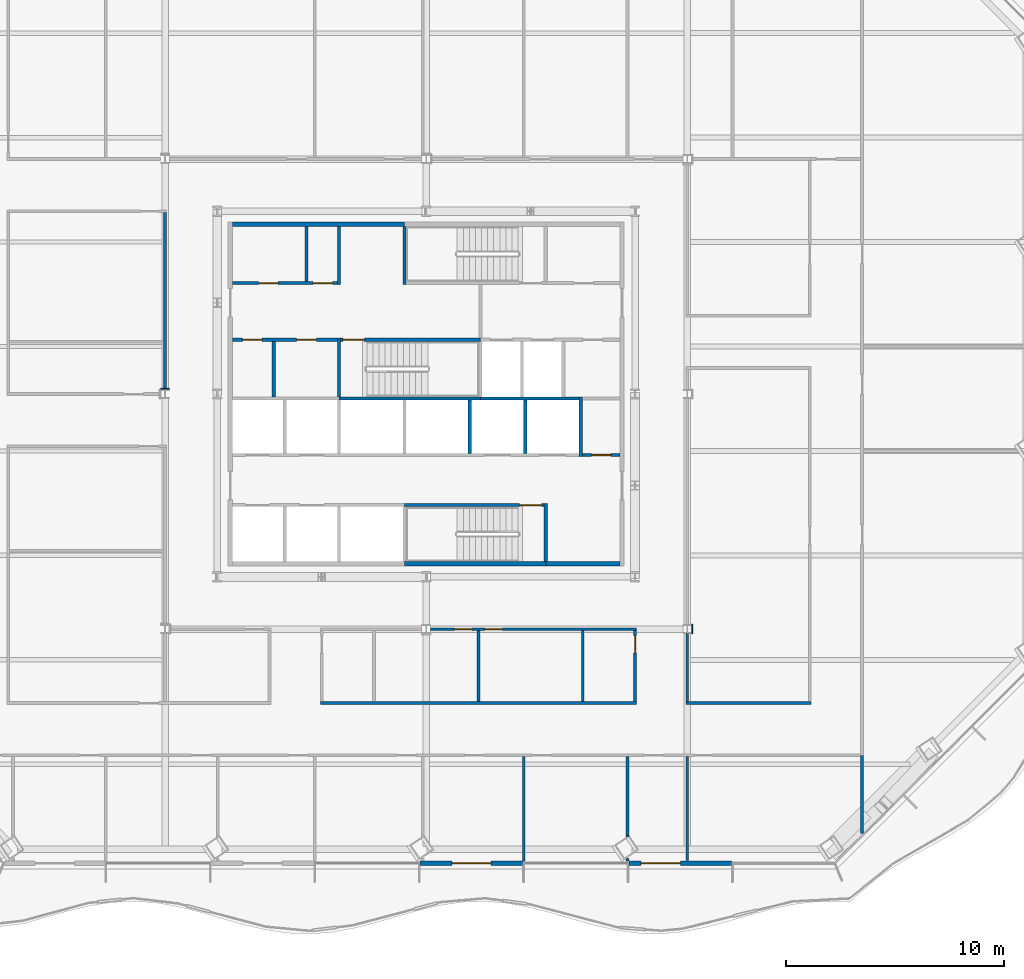
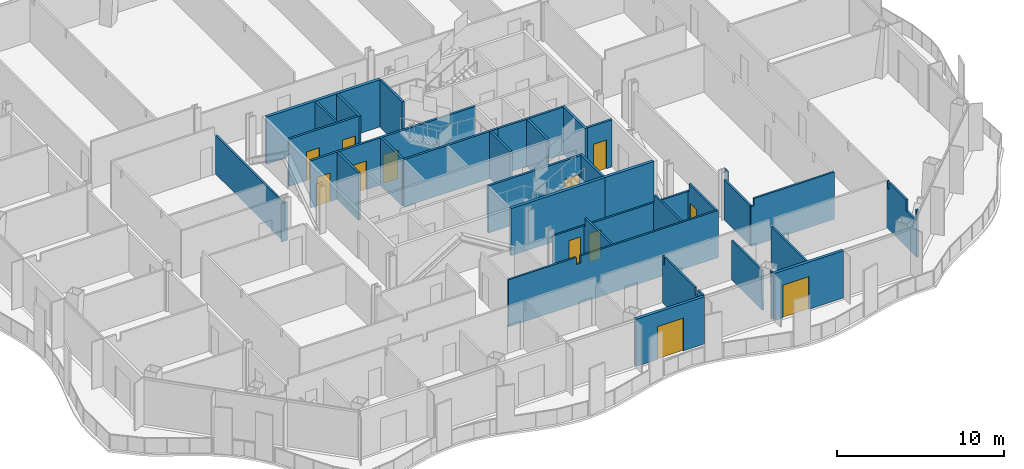
# One storey, part 10 of 22: 36 walls, 12 doors, 12 openings.
"""IFC4 building model written with IfcOpenShell, lengths in metres."""

import ifcopenshell
import ifcopenshell.guid

model = None  # the IFC model being written
_history = None  # IfcOwnerHistory: only IFC2X3 demands one
_inside = {}  # id of a spatial element -> (the spatial element, [elements in it])
_under = {}  # id of a project, library or spatial element -> (it, [spatial elements below it])
_declared = {}  # id of a project -> (the project, [libraries it declares])
_typed = {}  # id of a type object -> (the type object, [elements of that type])
_made_of = {}  # id of a material, layer set ... -> (it, [elements and type objects made of it])


def new_model(schema):
    """Start an empty IFC model of exactly this schema.

    Asked for "IFC4X3", IfcOpenShell would pick the latest addendum, in which some entities
    have other attributes; the version numbers below select the first issue.
    IFC2X3 requires an IfcOwnerHistory on every rooted entity: one is made here for all.
    """
    global model, _history
    if schema == "IFC4X3":
        model = ifcopenshell.file(schema_version=(4, 3, 0, 0))
    else:
        model = ifcopenshell.file(schema=schema)
    _inside.clear()
    _under.clear()
    _declared.clear()
    _typed.clear()
    _made_of.clear()
    _history = None
    if model.schema == "IFC2X3":
        org = make("IfcOrganization", Name="unknown")
        user = make(
            "IfcPersonAndOrganization",
            ThePerson=make("IfcPerson", FamilyName="unknown"),
            TheOrganization=org,
        )
        app = make(
            "IfcApplication",
            ApplicationDeveloper=org,
            Version="unknown",
            ApplicationFullName="unknown",
            ApplicationIdentifier="unknown",
        )
        _history = make(
            "IfcOwnerHistory",
            OwningUser=user,
            OwningApplication=app,
            ChangeAction="ADDED",
            CreationDate=0,
        )
    return model


def make(cls, **values):
    """One entity of the class cls with the attributes given. An attribute that is None is left unset."""
    return model.create_entity(
        cls, **{name: value for name, value in values.items() if value is not None}
    )


def rooted(cls, **values):
    """An entity with a GlobalId (a new one), such as an element, a storey or a relation."""
    return make(cls, GlobalId=ifcopenshell.guid.new(), OwnerHistory=_history, **values)


def si_unit(unit_type, name, prefix=None):
    """IfcSIUnit, for example si_unit("LENGTHUNIT", "METRE", prefix="MILLI")."""
    return make("IfcSIUnit", UnitType=unit_type, Prefix=prefix, Name=name)


def assignment(units):
    """IfcUnitAssignment: the units of a project."""
    return None if units is None else make("IfcUnitAssignment", Units=units)


def point(xyz):
    """IfcCartesianPoint."""
    return None if xyz is None else make("IfcCartesianPoint", Coordinates=xyz)


def direction(xyz):
    """IfcDirection."""
    return None if xyz is None else make("IfcDirection", DirectionRatios=xyz)


def frame(location, z_axis=None, x_axis=None):
    """IfcAxis2Placement3D, a coordinate frame: its origin and axes. An axis left out is left unset."""
    return make(
        "IfcAxis2Placement3D",
        Location=point(location),
        Axis=direction(z_axis),
        RefDirection=direction(x_axis),
    )


def frame_2d(location, x_axis=None):
    """IfcAxis2Placement2D, a coordinate frame in the plane: its origin and x axis."""
    return make(
        "IfcAxis2Placement2D", Location=point(location), RefDirection=direction(x_axis)
    )


def origin():
    """The frame at (0, 0, 0) with its axes left unset."""
    return frame((0.0, 0.0, 0.0))


def place(relative_to, where):
    """IfcLocalPlacement: puts the frame where relative to a parent placement (None: the world)."""
    return make(
        "IfcLocalPlacement", PlacementRelTo=relative_to, RelativePlacement=where
    )


def context(
    kind, dimensions, precision=None, world=None, true_north=None, identifier=None
):
    """IfcGeometricRepresentationContext, for example the 3D "Model" context."""
    return make(
        "IfcGeometricRepresentationContext",
        ContextIdentifier=identifier,
        ContextType=kind,
        CoordinateSpaceDimension=dimensions,
        Precision=precision,
        WorldCoordinateSystem=world,
        TrueNorth=true_north,
    )


def subcontext(parent, identifier, kind, view, scale=None):
    """IfcGeometricRepresentationSubContext, for example "Body" below "Model"."""
    return make(
        "IfcGeometricRepresentationSubContext",
        ContextIdentifier=identifier,
        ContextType=kind,
        ParentContext=parent,
        TargetScale=scale,
        TargetView=view,
    )


def project(units=None, contexts=None):
    """IfcProject with its units and contexts."""
    return rooted(
        "IfcProject",
        Name="project",
        RepresentationContexts=contexts,
        UnitsInContext=assignment(units),
    )


def spatial(cls, under=None, at=None, **own):
    """A site, building, storey or space (cls), placed at a placement, below another one or the project."""
    s = rooted(cls, ObjectPlacement=at, **own)
    if under is not None:
        _under.setdefault(under.id(), (under, []))[1].append(s)
    return s


def polyline(points):
    """IfcPolyline through the points."""
    return make("IfcPolyline", Points=[point(p) for p in points])


def profile(cls, at=None, kind="AREA", **sizes):
    """A parametric profile (cls). Its sizes go by their IFC names, for example OverallWidth=200.0."""
    return make(cls, ProfileType=kind, Position=at, **sizes)


def rectangle(**sizes):
    """IfcRectangleProfileDef."""
    return profile("IfcRectangleProfileDef", **sizes)


def outline(outer, holes=None, kind="AREA"):
    """IfcArbitraryClosedProfileDef: a profile drawn as a closed curve; with holes, ...WithVoids."""
    if holes is None:
        return make("IfcArbitraryClosedProfileDef", ProfileType=kind, OuterCurve=outer)
    return make(
        "IfcArbitraryProfileDefWithVoids",
        ProfileType=kind,
        OuterCurve=outer,
        InnerCurves=holes,
    )


def extrude(swept, where, along, depth):
    """IfcExtrudedAreaSolid: the profile swept, set in the frame where, extruded along a direction by depth."""
    return make(
        "IfcExtrudedAreaSolid",
        SweptArea=swept,
        Position=where,
        ExtrudedDirection=direction(along),
        Depth=depth,
    )


def shape(context_of_items, identifier, shape_type, items):
    """IfcShapeRepresentation: the items that make up one representation, for example the "Body"."""
    return make(
        "IfcShapeRepresentation",
        ContextOfItems=context_of_items,
        RepresentationIdentifier=identifier,
        RepresentationType=shape_type,
        Items=items,
    )


def material(Name=None, Category=None):
    """IfcMaterial."""
    return make("IfcMaterial", Name=Name, Category=Category)


def layer(
    of_material, thickness, ventilated=None, Name=None, Category=None, Priority=None
):
    """IfcMaterialLayer: one layer of a wall or slab, of a material (None: an air gap)."""
    return make(
        "IfcMaterialLayer",
        Material=of_material,
        LayerThickness=thickness,
        IsVentilated=ventilated,
        Name=Name,
        Category=Category,
        Priority=Priority,
    )


def layer_set(layers, Name=None):
    """IfcMaterialLayerSet."""
    return make("IfcMaterialLayerSet", MaterialLayers=layers, LayerSetName=Name)


def made_of(thing, what):
    """Note that an element or type object is made of a material, layer set ...; save() writes the relation."""
    if what is not None:
        _made_of.setdefault(what.id(), (what, []))[1].append(thing)
    return thing


def type_object(cls, material=None, **own):
    """A type object (cls), such as IfcWallType, which elements share."""
    return made_of(rooted(cls, **own), material)


def element(
    cls,
    number,
    at=None,
    inside=None,
    cuts=None,
    type_object=None,
    material=None,
    context=None,
    identifier="Body",
    shape_type=None,
    held_by="IfcProductDefinitionShape",
    body=None,
    shapes=None,
    **own,
):
    """One element of the class cls, such as IfcWall. Its Tag is "e" and its number.

    at: its placement. inside: the storey or other place that contains it. cuts: it is an
    opening in that element (IfcRelVoidsElement). A single representation is given by context,
    identifier, shape_type and body (its items); several are given by shapes. held_by: the class
    of the entity that holds the representations. save() writes the other relations.
    """
    e = rooted(cls, Tag="e%d" % number, ObjectPlacement=at, **own)
    if body is not None:
        shapes = [shape(context, identifier, shape_type, body)]
    if shapes is not None:
        e.Representation = make(held_by, Representations=shapes)
    if inside is not None:
        _inside.setdefault(inside.id(), (inside, []))[1].append(e)
    if cuts is not None:
        rooted(
            "IfcRelVoidsElement", RelatingBuildingElement=cuts, RelatedOpeningElement=e
        )
    if type_object is not None:
        _typed.setdefault(type_object.id(), (type_object, []))[1].append(e)
    return made_of(e, material)


def fill(opening, filler):
    """IfcRelFillsElement: the door or window that sits in an opening."""
    return rooted(
        "IfcRelFillsElement",
        RelatingOpeningElement=opening,
        RelatedBuildingElement=filler,
    )


def aggregate(whole, parts):
    """IfcRelAggregates: a whole, such as a stair, and the parts it consists of."""
    return rooted("IfcRelAggregates", RelatingObject=whole, RelatedObjects=parts)


def save(model, path):
    """Write the relations noted so far, then the file.

    IfcRelAggregates (storeys below a building ...), IfcRelContainedInSpatialStructure (elements
    in a storey), IfcRelDefinesByType, IfcRelAssociatesMaterial and IfcRelDeclares: one each for
    every whole, place, type object, material and project.
    """
    for whole, parts in _under.values():
        aggregate(whole, parts)
    for where, things in _inside.values():
        rooted(
            "IfcRelContainedInSpatialStructure",
            RelatedElements=things,
            RelatingStructure=where,
        )
    for kind, things in _typed.values():
        rooted("IfcRelDefinesByType", RelatedObjects=things, RelatingType=kind)
    for what, things in _made_of.values():
        rooted("IfcRelAssociatesMaterial", RelatedObjects=things, RelatingMaterial=what)
    for by, libraries in _declared.values():
        rooted("IfcRelDeclares", RelatingContext=by, RelatedDefinitions=libraries)
    model.write(path)


model = new_model("IFC4")

# Units and contexts
model_context = context("Model", 3, precision=1e-05, world=origin(), true_north=direction((0.0, 1.0)))
body_context = subcontext(model_context, "Body", "Model", "MODEL_VIEW")
ifc_project = project(units=[si_unit("LENGTHUNIT", "METRE"), si_unit("AREAUNIT", "SQUARE_METRE"), si_unit("VOLUMEUNIT", "CUBIC_METRE"), si_unit("PLANEANGLEUNIT", "RADIAN"), si_unit("MASSUNIT", "GRAM", prefix="KILO")], contexts=[model_context])

# Site, building, storey
site_placement = place(None, origin())
site = spatial("IfcSite", under=ifc_project, at=site_placement, CompositionType="ELEMENT")
building_placement = place(site_placement, origin())
building = spatial("IfcBuilding", under=site, at=building_placement, Name="Cairn Pilgrim Tower", CompositionType="ELEMENT")
storey_placement = place(building_placement, frame((0.0, 0.0, 112.199951171875)))
storey = spatial("IfcBuildingStorey", under=building, at=storey_placement, Name="L27", CompositionType="ELEMENT", Elevation=112.199951171875)

# Wall, opening, door
ifc_material_1 = material(Name="Bronze anodised aluminium insulated sandwich panel with mineral wool fill", Category="aluminium")
ifc_layer_1 = layer(ifc_material_1, 0.199951171875)
ifc_layer_set_1 = layer_set([ifc_layer_1], Name="BRONZE INFILL FRAME WALL 200")
wall_type_1 = type_object("IfcWallType", Name="BRONZE INFILL FRAME WALL 200", PredefinedType="NOTDEFINED", material=ifc_layer_set_1)
wall_1_placement = place(storey_placement, frame((6.909423828125, -19.16357421875, 0.0), z_axis=(0.0, 0.0, 1.0), x_axis=(1.0, 0.0, 0.0)))
wall_1 = element("IfcWall", 1, at=wall_1_placement, inside=storey, type_object=wall_type_1, Name="Bronze infill frame wall IW-S5", PredefinedType="NOTDEFINED", context=body_context, shape_type="SweptSolid", body=[
    extrude(rectangle(XDim=4.739990234375, YDim=0.199951171875, at=frame_2d((2.3701171875, 0.0))), origin(), (0.0, 0.0, 1.0), 3.449951171875),
])
opening_1_placement = place(wall_1_placement, frame((1.470458984375, 0.0, 0.0)))
opening_1 = element("IfcOpeningElement", 2, at=opening_1_placement, cuts=wall_1, Name="Opening 2706B", PredefinedType="OPENING", context=body_context, shape_type="SweptSolid", body=[
    extrude(rectangle(XDim=1.800048828125, YDim=2.39990234375, at=frame_2d((0.89990234375, 1.199951171875))), frame((0.0, 0.10986328125, 0.0), z_axis=(0.0, -1.0, 0.0), x_axis=(1.0, 0.0, 0.0)), (0.0, 0.0, 1.0), 0.219970703125),
])
ifc_material_2 = material(Name="Bronze anodised aluminium frame with tinted low-E glass", Category="aluminium")
door_type_1 = type_object("IfcDoorType", Name="BALCONY SLIDING DOOR 1800x2400", OperationType="DOUBLE_DOOR_SLIDING", PredefinedType="DOOR", material=ifc_material_2)
door_1_placement = place(opening_1_placement, origin())
door_1 = element("IfcDoor", 3, at=door_1_placement, inside=storey, type_object=door_type_1, Name="Balcony sliding door 2706B", OperationType="SINGLE_SWING_LEFT", OverallHeight=2.39990234375, OverallWidth=1.800048828125, PredefinedType="DOOR", context=body_context, shape_type="SweptSolid", body=[
    extrude(rectangle(XDim=1.800048828125, YDim=2.39990234375, at=frame_2d((0.89990234375, 1.199951171875))), frame((0.0, 0.02490234375, 0.0), z_axis=(0.0, -1.0, 0.0), x_axis=(1.0, 0.0, 0.0)), (0.0, 0.0, 1.0), 0.050048828125),
])
fill(opening_1, door_1)

wall_2_placement = place(storey_placement, frame((16.509521484375, -19.16357421875, 0.0), z_axis=(0.0, 0.0, 1.0), x_axis=(1.0, 0.0, 0.0)))
wall_2 = element("IfcWall", 4, at=wall_2_placement, inside=storey, type_object=wall_type_1, Name="Bronze infill frame wall IW-S7", PredefinedType="NOTDEFINED", context=body_context, shape_type="SweptSolid", body=[
    extrude(rectangle(XDim=4.739990234375, YDim=0.199951171875, at=frame_2d((2.3701171875, 0.0))), origin(), (0.0, 0.0, 1.0), 3.449951171875),
])
opening_2_placement = place(wall_2_placement, frame((0.570556640625, 0.0, 0.0)))
opening_2 = element("IfcOpeningElement", 5, at=opening_2_placement, cuts=wall_2, Name="Opening 2708B", PredefinedType="OPENING", context=body_context, shape_type="SweptSolid", body=[
    extrude(rectangle(XDim=1.800048828125, YDim=2.39990234375, at=frame_2d((0.89990234375, 1.199951171875))), frame((0.0, 0.10986328125, 0.0), z_axis=(0.0, -1.0, 0.0), x_axis=(1.0, 0.0, 0.0)), (0.0, 0.0, 1.0), 0.219970703125),
])
door_2_placement = place(opening_2_placement, origin())
door_2 = element("IfcDoor", 6, at=door_2_placement, inside=storey, type_object=door_type_1, Name="Balcony sliding door 2708B", OperationType="SINGLE_SWING_LEFT", OverallHeight=2.39990234375, OverallWidth=1.800048828125, PredefinedType="DOOR", context=body_context, shape_type="SweptSolid", body=[
    extrude(rectangle(XDim=1.800048828125, YDim=2.39990234375, at=frame_2d((0.89990234375, 1.199951171875))), frame((0.0, 0.02490234375, 0.0), z_axis=(0.0, -1.0, 0.0), x_axis=(1.0, 0.0, 0.0)), (0.0, 0.0, 1.0), 0.050048828125),
])
fill(opening_2, door_2)

# Walls
ifc_material_3 = material(Name="Concrete C32/40", Category="concrete")
ifc_layer_2 = layer(ifc_material_3, 0.199951171875)
ifc_layer_set_2 = layer_set([ifc_layer_2], Name="CORE OUTER WALL 200 EI 120")
wall_type_2 = type_object("IfcWallType", Name="CORE OUTER WALL 200 EI 120", PredefinedType="SOLIDWALL", material=ifc_layer_set_2)
wall_3_placement = place(storey_placement, frame((12.699951171875, -5.39990234375, 0.0), z_axis=(0.0, 0.0, 1.0), x_axis=(1.0, 0.0, 0.0)))
element("IfcWall", 7, at=wall_3_placement, inside=storey, type_object=wall_type_2, Name="CW:L27:H01-3", PredefinedType="SOLIDWALL", context=body_context, shape_type="SweptSolid", body=[
    extrude(rectangle(XDim=3.400146484375, YDim=0.199951171875, at=frame_2d((1.7001953125, 0.0))), origin(), (0.0, 0.0, 1.0), 3.449951171875),
])
wall_4_placement = place(storey_placement, frame((-1.699951171875, 10.199951171875, 0.0), z_axis=(0.0, 0.0, 1.0), x_axis=(1.0, 0.0, 0.0)))
element("IfcWall", 8, at=wall_4_placement, inside=storey, type_object=wall_type_2, Name="CW:L27:H11-1", PredefinedType="SOLIDWALL", context=body_context, shape_type="SweptSolid", body=[
    extrude(rectangle(XDim=7.89990234375, YDim=0.199951171875, at=frame_2d((3.949951171875, 0.0))), origin(), (0.0, 0.0, 1.0), 3.449951171875),
])

# Wall, opening, door
ifc_layer_3 = layer(ifc_material_3, 0.14990234375)
ifc_layer_set_3 = layer_set([ifc_layer_3], Name="CORE PARTITION 150 EI 60")
wall_type_3 = type_object("IfcWallType", Name="CORE PARTITION 150 EI 60", PredefinedType="PARTITIONING", material=ifc_layer_set_3)
wall_5_placement = place(storey_placement, frame((14.375, -0.39990234375, 0.0), z_axis=(0.0, 0.0, 1.0), x_axis=(1.0, 0.0, 0.0)))
wall_5 = element("IfcWall", 9, at=wall_5_placement, inside=storey, type_object=wall_type_3, Name="CW:L27:H04", PredefinedType="PARTITIONING", context=body_context, shape_type="SweptSolid", body=[
    extrude(rectangle(XDim=1.72509765625, YDim=0.14990234375, at=frame_2d((0.862548828125, 0.0))), origin(), (0.0, 0.0, 1.0), 3.449951171875),
])
opening_3_placement = place(wall_5_placement, frame((0.425048828125, 0.0, 0.0)))
opening_3 = element("IfcOpeningElement", 10, at=opening_3_placement, cuts=wall_5, Name="Opening RD-R2E", PredefinedType="OPENING", context=body_context, shape_type="SweptSolid", body=[
    extrude(rectangle(XDim=0.89990234375, YDim=2.10009765625, at=frame_2d((0.449951171875, 1.050048828125))), frame((0.0, 0.0849609375, 0.0), z_axis=(0.0, -1.0, 0.0), x_axis=(1.0, 0.0, 0.0)), (0.0, 0.0, 1.0), 0.169921875),
])
ifc_material_4 = material(Name="Painted steel", Category="steel")
door_type_2 = type_object("IfcDoorType", Name="SERVICE ROOM DOOR 900x2100", OperationType="SINGLE_SWING_LEFT", PredefinedType="DOOR", material=ifc_material_4)
door_3_placement = place(opening_3_placement, origin())
door_3 = element("IfcDoor", 11, at=door_3_placement, inside=storey, type_object=door_type_2, Name="RD-R2E", OperationType="SINGLE_SWING_RIGHT", OverallHeight=2.10009765625, OverallWidth=0.89990234375, PredefinedType="DOOR", context=body_context, shape_type="SweptSolid", body=[
    extrude(rectangle(XDim=0.89990234375, YDim=2.10009765625, at=frame_2d((0.449951171875, 1.050048828125))), frame((0.0, 0.02490234375, 0.0), z_axis=(0.0, -1.0, 0.0), x_axis=(1.0, 0.0, 0.0)), (0.0, 0.0, 1.0), 0.050048828125),
])
fill(opening_3, door_3)

# Wall, openings, doors
wall_6_placement = place(storey_placement, frame((-1.699951171875, 4.89990234375, 0.0), z_axis=(0.0, 0.0, 1.0), x_axis=(1.0, 0.0, 0.0)))
wall_6 = element("IfcWall", 12, at=wall_6_placement, inside=storey, type_object=wall_type_3, Name="CW:L27:H07", PredefinedType="PARTITIONING", context=body_context, shape_type="SweptSolid", body=[
    extrude(rectangle(XDim=4.824951171875, YDim=0.14990234375, at=frame_2d((2.41259765625, 0.0))), origin(), (0.0, 0.0, 1.0), 3.449951171875),
])
opening_4_placement = place(wall_6_placement, frame((0.449951171875, 0.0, 0.0)))
opening_4 = element("IfcOpeningElement", 13, at=opening_4_placement, cuts=wall_6, Name="Opening RD-R3W1", PredefinedType="OPENING", context=body_context, shape_type="SweptSolid", body=[
    extrude(rectangle(XDim=0.89990234375, YDim=2.10009765625, at=frame_2d((0.449951171875, 1.050048828125))), frame((0.0, 0.0849609375, 0.0), z_axis=(0.0, -1.0, 0.0), x_axis=(1.0, 0.0, 0.0)), (0.0, 0.0, 1.0), 0.169921875),
])
opening_5_placement = place(wall_6_placement, frame((2.949951171875, 0.0, 0.0)))
opening_5 = element("IfcOpeningElement", 14, at=opening_5_placement, cuts=wall_6, Name="Opening RD-R3W2", PredefinedType="OPENING", context=body_context, shape_type="SweptSolid", body=[
    extrude(rectangle(XDim=0.89990234375, YDim=2.10009765625, at=frame_2d((0.449951171875, 1.050048828125))), frame((0.0, 0.0849609375, 0.0), z_axis=(0.0, -1.0, 0.0), x_axis=(1.0, 0.0, 0.0)), (0.0, 0.0, 1.0), 0.169921875),
])
door_4_placement = place(opening_4_placement, origin())
door_4 = element("IfcDoor", 15, at=door_4_placement, inside=storey, type_object=door_type_2, Name="RD-R3W1", OperationType="SINGLE_SWING_LEFT", OverallHeight=2.10009765625, OverallWidth=0.89990234375, PredefinedType="DOOR", context=body_context, shape_type="SweptSolid", body=[
    extrude(rectangle(XDim=0.89990234375, YDim=2.10009765625, at=frame_2d((0.449951171875, 1.050048828125))), frame((0.0, 0.02490234375, 0.0), z_axis=(0.0, -1.0, 0.0), x_axis=(1.0, 0.0, 0.0)), (0.0, 0.0, 1.0), 0.050048828125),
])
fill(opening_4, door_4)
door_5_placement = place(opening_5_placement, origin())
door_5 = element("IfcDoor", 16, at=door_5_placement, inside=storey, type_object=door_type_2, Name="RD-R3W2", OperationType="SINGLE_SWING_RIGHT", OverallHeight=2.10009765625, OverallWidth=0.89990234375, PredefinedType="DOOR", context=body_context, shape_type="SweptSolid", body=[
    extrude(rectangle(XDim=0.89990234375, YDim=2.10009765625, at=frame_2d((0.449951171875, 1.050048828125))), frame((0.0, 0.02490234375, 0.0), z_axis=(0.0, -1.0, 0.0), x_axis=(1.0, 0.0, 0.0)), (0.0, 0.0, 1.0), 0.050048828125),
])
fill(opening_5, door_5)

wall_7_placement = place(storey_placement, frame((-1.699951171875, 7.5, 0.0), z_axis=(0.0, 0.0, 1.0), x_axis=(1.0, 0.0, 0.0)))
wall_7 = element("IfcWall", 17, at=wall_7_placement, inside=storey, type_object=wall_type_3, Name="CW:L27:H09", PredefinedType="PARTITIONING", context=body_context, shape_type="SweptSolid", body=[
    extrude(rectangle(XDim=4.824951171875, YDim=0.14990234375, at=frame_2d((2.41259765625, 0.0))), origin(), (0.0, 0.0, 1.0), 3.449951171875),
])
opening_6_placement = place(wall_7_placement, frame((1.199951171875, 0.0, 0.0)))
opening_6 = element("IfcOpeningElement", 18, at=opening_6_placement, cuts=wall_7, Name="Opening RD-R4W1", PredefinedType="OPENING", context=body_context, shape_type="SweptSolid", body=[
    extrude(rectangle(XDim=0.89990234375, YDim=2.10009765625, at=frame_2d((0.449951171875, 1.050048828125))), frame((0.0, 0.0849609375, 0.0), z_axis=(0.0, -1.0, 0.0), x_axis=(1.0, 0.0, 0.0)), (0.0, 0.0, 1.0), 0.169921875),
])
opening_7_placement = place(wall_7_placement, frame((3.699951171875, 0.0, 0.0)))
opening_7 = element("IfcOpeningElement", 19, at=opening_7_placement, cuts=wall_7, Name="Opening RD-R4W2", PredefinedType="OPENING", context=body_context, shape_type="SweptSolid", body=[
    extrude(rectangle(XDim=0.89990234375, YDim=2.10009765625, at=frame_2d((0.449951171875, 1.050048828125))), frame((0.0, 0.0849609375, 0.0), z_axis=(0.0, -1.0, 0.0), x_axis=(1.0, 0.0, 0.0)), (0.0, 0.0, 1.0), 0.169921875),
])
door_6_placement = place(opening_6_placement, origin())
door_6 = element("IfcDoor", 20, at=door_6_placement, inside=storey, type_object=door_type_2, Name="RD-R4W1", OperationType="SINGLE_SWING_LEFT", OverallHeight=2.10009765625, OverallWidth=0.89990234375, PredefinedType="DOOR", context=body_context, shape_type="SweptSolid", body=[
    extrude(rectangle(XDim=0.89990234375, YDim=2.10009765625, at=frame_2d((0.449951171875, 1.050048828125))), frame((0.0, 0.02490234375, 0.0), z_axis=(0.0, -1.0, 0.0), x_axis=(1.0, 0.0, 0.0)), (0.0, 0.0, 1.0), 0.050048828125),
])
fill(opening_6, door_6)
door_7_placement = place(opening_7_placement, origin())
door_7 = element("IfcDoor", 21, at=door_7_placement, inside=storey, type_object=door_type_2, Name="RD-R4W2", OperationType="SINGLE_SWING_RIGHT", OverallHeight=2.10009765625, OverallWidth=0.89990234375, PredefinedType="DOOR", context=body_context, shape_type="SweptSolid", body=[
    extrude(rectangle(XDim=0.89990234375, YDim=2.10009765625, at=frame_2d((0.449951171875, 1.050048828125))), frame((0.0, 0.02490234375, 0.0), z_axis=(0.0, -1.0, 0.0), x_axis=(1.0, 0.0, 0.0)), (0.0, 0.0, 1.0), 0.050048828125),
])
fill(opening_7, door_7)

# Walls
wall_8_placement = place(storey_placement, frame((0.199951171875, 2.27490234375, 0.0), z_axis=(0.0, 0.0, 1.0), x_axis=(0.0, 1.0, 0.0)))
element("IfcWall", 22, at=wall_8_placement, inside=storey, type_object=wall_type_3, Name="CW:L27:V13", PredefinedType="PARTITIONING", context=body_context, shape_type="SweptSolid", body=[
    extrude(rectangle(XDim=2.550048828125, YDim=0.14990234375, at=frame_2d((1.27490234375, 0.0))), origin(), (0.0, 0.0, 1.0), 3.449951171875),
])
wall_9_placement = place(storey_placement, frame((1.699951171875, 7.574951171875, 0.0), z_axis=(0.0, 0.0, 1.0), x_axis=(0.0, 1.0, 0.0)))
element("IfcWall", 23, at=wall_9_placement, inside=storey, type_object=wall_type_3, Name="CW:L27:V16", PredefinedType="PARTITIONING", context=body_context, shape_type="SweptSolid", body=[
    extrude(rectangle(XDim=2.525146484375, YDim=0.14990234375, at=frame_2d((1.2626953125, 0.0))), origin(), (0.0, 0.0, 1.0), 3.449951171875),
])
wall_10_placement = place(storey_placement, frame((3.199951171875, 7.425048828125, 0.0), z_axis=(0.0, 0.0, 1.0), x_axis=(0.0, 1.0, 0.0)))
element("IfcWall", 24, at=wall_10_placement, inside=storey, type_object=wall_type_3, Name="CW:L27:V20", PredefinedType="PARTITIONING", context=body_context, shape_type="SweptSolid", body=[
    extrude(rectangle(XDim=2.675048828125, YDim=0.14990234375, at=frame_2d((1.33740234375, 0.0))), origin(), (0.0, 0.0, 1.0), 3.449951171875),
])
ifc_layer_4 = layer(ifc_material_3, 0.14990234375)
ifc_layer_set_4 = layer_set([ifc_layer_4], Name="CORE SHAFT WALL 150 EI 120")
wall_type_4 = type_object("IfcWallType", Name="CORE SHAFT WALL 150 EI 120", PredefinedType="SOLIDWALL", material=ifc_layer_set_4)
wall_11_placement = place(storey_placement, frame((9.699951171875, 2.199951171875, 0.0), z_axis=(0.0, 0.0, 1.0), x_axis=(1.0, 0.0, 0.0)))
element("IfcWall", 25, at=wall_11_placement, inside=storey, type_object=wall_type_4, Name="CW:L27:H05-3", PredefinedType="SOLIDWALL", context=body_context, shape_type="SweptSolid", body=[
    extrude(rectangle(XDim=4.525146484375, YDim=0.14990234375, at=frame_2d((2.2626953125, 0.0))), origin(), (0.0, 0.0, 1.0), 3.449951171875),
])
for number, where, z_axis, x_axis, name in (
    (26, (9.199951171875, -0.324951171875, 0.0), (0.0, 0.0, 1.0), (0.0, 1.0, 0.0), "CW:L27:V24"),
    (27, (11.75, -0.324951171875, 0.0), (0.0, 0.0, 1.0), (0.0, 1.0, 0.0), "CW:L27:V28"),
):
    element("IfcWall", number, at=place(storey_placement, frame(where, z_axis=z_axis, x_axis=x_axis)), inside=storey, type_object=wall_type_4, Name=name, PredefinedType="SOLIDWALL", context=body_context, shape_type="SweptSolid", body=[
        extrude(rectangle(XDim=2.449951171875, YDim=0.14990234375, at=frame_2d((1.22509765625, 0.0))), origin(), (0.0, 0.0, 1.0), 3.449951171875),
    ])
wall_12_placement = place(storey_placement, frame((14.300048828125, -0.47509765625, 0.0), z_axis=(0.0, 0.0, 1.0), x_axis=(0.0, 1.0, 0.0)))
element("IfcWall", 28, at=wall_12_placement, inside=storey, type_object=wall_type_4, Name="CW:L27:V32", PredefinedType="SOLIDWALL", context=body_context, shape_type="SweptSolid", body=[
    extrude(rectangle(XDim=2.75, YDim=0.14990234375, at=frame_2d((1.375, 0.0))), origin(), (0.0, 0.0, 1.0), 3.449951171875),
])
ifc_material_5 = material(Name="Gypsum partition")
ifc_layer_5 = layer(ifc_material_5, 0.125)
ifc_layer_set_5 = layer_set([ifc_layer_5], Name="PARTITION 125 DRYWALL EI 60")
wall_type_5 = type_object("IfcWallType", Name="PARTITION 125 DRYWALL EI 60", PredefinedType="PARTITIONING", material=ifc_layer_set_5)
wall_13_placement = place(storey_placement, frame((11.679931640625, -19.063720703125, 0.0), z_axis=(0.0, 0.0, 1.0), x_axis=(0.0, 1.0, 0.0)))
element("IfcWall", 29, at=wall_13_placement, inside=storey, type_object=wall_type_5, Name="PARTITION W003", PredefinedType="PARTITIONING", context=body_context, shape_type="SweptSolid", body=[
    extrude(outline(polyline([(0.0, 0.0), (4.80126953125, 0.0), (4.80126953125, 3.449951171875), (4.768798828125, 3.449951171875), (4.7666015625, 2.880126953125), (4.55859375, 2.880126953125), (4.556640625, 3.449951171875), (0.913818359375, 3.449951171875), (0.91162109375, 2.929931640625), (0.61376953125, 2.929931640625), (0.61181640625, 3.449951171875), (0.0, 3.449951171875), (0.0, 0.0)])), frame((0.0, 0.0625, 0.0), z_axis=(0.0, -1.0, 0.0), x_axis=(1.0, 0.0, 0.0)), (0.0, 0.0, 1.0), 0.125),
])
wall_14_placement = place(storey_placement, frame((16.452880859375, -19.063720703125, 0.0), z_axis=(0.0, 0.0, 1.0), x_axis=(0.0, 1.0, 0.0)))
element("IfcWall", 30, at=wall_14_placement, inside=storey, type_object=wall_type_5, Name="PARTITION W004", PredefinedType="PARTITIONING", context=body_context, shape_type="SweptSolid", body=[
    extrude(outline(polyline([(0.0, 0.0), (0.13427734375, 0.0), (0.13427734375, 0.862548828125), (0.13427734375, 1.72509765625), (0.156494140625, 2.587646484375), (0.207763671875, 3.449951171875), (0.0, 3.449951171875), (0.0, 2.587646484375), (0.0, 1.72509765625), (0.0, 0.862548828125), (0.0, 0.0)])), frame((0.0, 0.0625, 0.0), z_axis=(0.0, -1.0, 0.0), x_axis=(1.0, 0.0, 0.0)), (0.0, 0.0, 1.0), 0.125),
])
wall_15_placement = place(storey_placement, frame((19.199951171875, -19.03369140625, 0.0), z_axis=(0.0, 0.0, 1.0), x_axis=(0.0, 1.0, 0.0)))
element("IfcWall", 31, at=wall_15_placement, inside=storey, type_object=wall_type_5, Name="PARTITION W008", PredefinedType="PARTITIONING", context=body_context, shape_type="SweptSolid", body=[
    extrude(rectangle(XDim=4.771240234375, YDim=0.125, at=frame_2d((2.3857421875, 0.0))), origin(), (0.0, 0.0, 1.0), 2.929931640625),
])
wall_16_placement = place(storey_placement, frame((16.452880859375, -17.948974609375, 0.0), z_axis=(0.0, 0.0, 1.0), x_axis=(0.0, 1.0, 0.0)))
element("IfcWall", 32, at=wall_16_placement, inside=storey, type_object=wall_type_5, Name="PARTITION W012", PredefinedType="PARTITIONING", context=body_context, shape_type="SweptSolid", body=[
    extrude(outline(polyline([(0.0, 0.0), (3.686279296875, 0.0), (3.686279296875, 0.862548828125), (3.686279296875, 1.72509765625), (3.686279296875, 2.587646484375), (3.686279296875, 2.880126953125), (0.064208984375, 2.880126953125), (0.064208984375, 2.587646484375), (0.064208984375, 1.72509765625), (0.05126953125, 0.862548828125), (0.0, 0.0)])), frame((0.0, 0.0625, 0.0), z_axis=(0.0, -1.0, 0.0), x_axis=(1.0, 0.0, 0.0)), (0.0, 0.0, 1.0), 0.125),
])
wall_17_placement = place(storey_placement, frame((27.22998046875, -17.8017578125, 0.0), z_axis=(0.0, 0.0, 1.0), x_axis=(0.0, 1.0, 0.0)))
element("IfcWall", 33, at=wall_17_placement, inside=storey, type_object=wall_type_5, Name="PARTITION W013", PredefinedType="PARTITIONING", context=body_context, shape_type="SweptSolid", body=[
    extrude(outline(polyline([(0.0, 0.0), (3.601806640625, 0.0), (3.601806640625, 3.449951171875), (3.501708984375, 3.449951171875), (3.499755859375, 2.929931640625), (3.3017578125, 2.929931640625), (3.2998046875, 3.449951171875), (1.261962890625, 3.449951171875), (1.260009765625, 2.630126953125), (0.147216796875, 2.630126953125), (0.14501953125, 3.449951171875), (0.0, 3.449951171875), (0.0, 0.0)])), frame((0.0, 0.0625, 0.0), z_axis=(0.0, -1.0, 0.0), x_axis=(1.0, 0.0, 0.0)), (0.0, 0.0, 1.0), 0.125),
])
wall_18_placement = place(storey_placement, frame((2.33740234375, -11.800048828125, 0.0), z_axis=(0.0, 0.0, 1.0), x_axis=(1.0, 0.0, 0.0)))
element("IfcWall", 34, at=wall_18_placement, inside=storey, type_object=wall_type_5, Name="PARTITION W020", PredefinedType="PARTITIONING", context=body_context, shape_type="SweptSolid", body=[
    extrude(outline(polyline([(0.0, 0.0), (14.525146484375, 0.0), (14.52490234375, 3.449951171875), (5.012451171875, 3.449951171875), (5.010498046875, 2.929931640625), (4.71240234375, 2.929931640625), (4.71044921875, 3.449951171875), (0.0, 3.449951171875), (0.0, 0.0)])), frame((0.0, 0.0625, 0.0), z_axis=(0.0, -1.0, 0.0), x_axis=(1.0, 0.0, 0.0)), (0.0, 0.0, 1.0), 0.125),
])
wall_19_placement = place(storey_placement, frame((19.137451171875, -11.800048828125, 0.0), z_axis=(0.0, 0.0, 1.0), x_axis=(1.0, 0.0, 0.0)))
element("IfcWall", 35, at=wall_19_placement, inside=storey, type_object=wall_type_5, Name="PARTITION W021", PredefinedType="PARTITIONING", context=body_context, shape_type="SweptSolid", body=[
    extrude(outline(polyline([(0.0, 0.0), (5.755126953125, 0.0), (5.7548828125, 3.449951171875), (0.21240234375, 3.449951171875), (0.21044921875, 2.929931640625), (0.0, 2.929931640625), (0.0, 0.0)])), frame((0.0, 0.0625, 0.0), z_axis=(0.0, -1.0, 0.0), x_axis=(1.0, 0.0, 0.0)), (0.0, 0.0, 1.0), 0.125),
])
for number, where, z_axis, x_axis, name in (
    (36, (9.60009765625, -11.737548828125, 0.0), (0.0, 0.0, 1.0), (0.0, 1.0, 0.0), "PARTITION W027"),
    (37, (14.39990234375, -11.737548828125, 0.0), (0.0, 0.0, 1.0), (0.0, 1.0, 0.0), "PARTITION W028"),
):
    element("IfcWall", number, at=place(storey_placement, frame(where, z_axis=z_axis, x_axis=x_axis)), inside=storey, type_object=wall_type_5, Name=name, PredefinedType="PARTITIONING", context=body_context, shape_type="SweptSolid", body=[
        extrude(outline(polyline([(0.0, 0.0), (3.275146484375, 0.0), (3.27490234375, 2.830078125), (3.1875, 2.830078125), (3.185546875, 3.449951171875), (0.0, 3.449951171875), (0.0, 0.0)])), frame((0.0, 0.0625, 0.0), z_axis=(0.0, -1.0, 0.0), x_axis=(1.0, 0.0, 0.0)), (0.0, 0.0, 1.0), 0.125),
    ])

# Wall, opening, door
wall_20_placement = place(storey_placement, frame((16.800048828125, -11.737548828125, 0.0), z_axis=(0.0, 0.0, 1.0), x_axis=(0.0, 1.0, 0.0)))
wall_20 = element("IfcWall", 38, at=wall_20_placement, inside=storey, type_object=wall_type_5, Name="PARTITION W029", PredefinedType="PARTITIONING", context=body_context, shape_type="SweptSolid", body=[
    extrude(outline(polyline([(0.0, 0.0), (3.275146484375, 0.0), (3.27490234375, 2.830078125), (3.1875, 2.830078125), (3.185546875, 3.449951171875), (0.0, 3.449951171875), (0.0, 0.0)])), frame((0.0, 0.0625, 0.0), z_axis=(0.0, -1.0, 0.0), x_axis=(1.0, 0.0, 0.0)), (0.0, 0.0, 1.0), 0.125),
])
opening_8_placement = place(wall_20_placement, frame((2.237548828125, 0.0, 0.0)))
opening_8 = element("IfcOpeningElement", 39, at=opening_8_placement, cuts=wall_20, Name="Opening 2738", PredefinedType="OPENING", context=body_context, shape_type="SweptSolid", body=[
    extrude(rectangle(XDim=0.800048828125, YDim=2.10009765625, at=frame_2d((0.39990234375, 1.050048828125))), frame((0.0, 0.072509765625, 0.0), z_axis=(0.0, -1.0, 0.0), x_axis=(1.0, 0.0, 0.0)), (0.0, 0.0, 1.0), 0.14501953125),
])
ifc_material_6 = material(Name="Steel-faced fire door leaf", Category="steel")
door_type_3 = type_object("IfcDoorType", Name="FIRE DOOR 800x2100 FD30S", OperationType="NOTDEFINED", PredefinedType="DOOR", material=ifc_material_6)
door_8_placement = place(opening_8_placement, origin())
door_8 = element("IfcDoor", 40, at=door_8_placement, inside=storey, type_object=door_type_3, Name="DOOR 2738", OperationType="SINGLE_SWING_LEFT", OverallHeight=2.10009765625, OverallWidth=0.800048828125, PredefinedType="DOOR", context=body_context, shape_type="SweptSolid", body=[
    extrude(rectangle(XDim=0.800048828125, YDim=2.10009765625, at=frame_2d((0.39990234375, 1.050048828125))), frame((0.0, 0.02490234375, 0.0), z_axis=(0.0, -1.0, 0.0), x_axis=(1.0, 0.0, 0.0)), (0.0, 0.0, 1.0), 0.050048828125),
])
fill(opening_8, door_8)

# Wall
wall_21_placement = place(storey_placement, frame((19.199951171875, -11.737548828125, 0.0), z_axis=(0.0, 0.0, 1.0), x_axis=(0.0, 1.0, 0.0)))
element("IfcWall", 41, at=wall_21_placement, inside=storey, type_object=wall_type_5, Name="PARTITION W030", PredefinedType="PARTITIONING", context=body_context, shape_type="SweptSolid", body=[
    extrude(rectangle(XDim=3.125, YDim=0.125, at=frame_2d((1.5625, 0.0))), origin(), (0.0, 0.0, 1.0), 2.929931640625),
])

# Wall, openings, doors
wall_22_placement = place(storey_placement, frame((7.404541015625, -8.39990234375, 0.0), z_axis=(0.0, 0.0, 1.0), x_axis=(1.0, 0.0, 0.0)))
wall_22 = element("IfcWall", 42, at=wall_22_placement, inside=storey, type_object=wall_type_5, Name="PARTITION W036", PredefinedType="PARTITIONING", context=body_context, shape_type="SweptSolid", body=[
    extrude(rectangle(XDim=9.4580078125, YDim=0.125, at=frame_2d((4.72900390625, 0.0))), origin(), (0.0, 0.0, 1.0), 2.830078125),
])
opening_9_placement = place(wall_22_placement, frame((1.095458984375, 0.0, 0.0)))
opening_9 = element("IfcOpeningElement", 43, at=opening_9_placement, cuts=wall_22, Name="Opening 2736", PredefinedType="OPENING", context=body_context, shape_type="SweptSolid", body=[
    extrude(rectangle(XDim=0.800048828125, YDim=2.10009765625, at=frame_2d((0.39990234375, 1.050048828125))), frame((0.0, 0.072509765625, 0.0), z_axis=(0.0, -1.0, 0.0), x_axis=(1.0, 0.0, 0.0)), (0.0, 0.0, 1.0), 0.14501953125),
])
opening_10_placement = place(wall_22_placement, frame((2.49560546875, 0.0, 0.0)))
opening_10 = element("IfcOpeningElement", 44, at=opening_10_placement, cuts=wall_22, Name="Opening 2737", PredefinedType="OPENING", context=body_context, shape_type="SweptSolid", body=[
    extrude(rectangle(XDim=0.800048828125, YDim=2.10009765625, at=frame_2d((0.39990234375, 1.050048828125))), frame((0.0, 0.072509765625, 0.0), z_axis=(0.0, -1.0, 0.0), x_axis=(1.0, 0.0, 0.0)), (0.0, 0.0, 1.0), 0.14501953125),
])
door_9_placement = place(opening_9_placement, frame((0.800048828125, 0.0, 0.0), z_axis=(0.0, 0.0, 1.0), x_axis=(-1.0, 0.0, 0.0)))
door_9 = element("IfcDoor", 45, at=door_9_placement, inside=storey, type_object=door_type_3, Name="DOOR 2736", OperationType="SINGLE_SWING_LEFT", OverallHeight=2.10009765625, OverallWidth=0.800048828125, PredefinedType="DOOR", context=body_context, shape_type="SweptSolid", body=[
    extrude(rectangle(XDim=0.800048828125, YDim=2.10009765625, at=frame_2d((0.39990234375, 1.050048828125))), frame((0.0, 0.02490234375, 0.0), z_axis=(0.0, -1.0, 0.0), x_axis=(1.0, 0.0, 0.0)), (0.0, 0.0, 1.0), 0.050048828125),
])
fill(opening_9, door_9)
door_10_placement = place(opening_10_placement, frame((0.800048828125, 0.0, 0.0), z_axis=(0.0, 0.0, 1.0), x_axis=(-1.0, 0.0, 0.0)))
door_10 = element("IfcDoor", 46, at=door_10_placement, inside=storey, type_object=door_type_3, Name="DOOR 2737", OperationType="SINGLE_SWING_RIGHT", OverallHeight=2.10009765625, OverallWidth=0.800048828125, PredefinedType="DOOR", context=body_context, shape_type="SweptSolid", body=[
    extrude(rectangle(XDim=0.800048828125, YDim=2.10009765625, at=frame_2d((0.39990234375, 1.050048828125))), frame((0.0, 0.02490234375, 0.0), z_axis=(0.0, -1.0, 0.0), x_axis=(1.0, 0.0, 0.0)), (0.0, 0.0, 1.0), 0.050048828125),
])
fill(opening_10, door_10)

# Walls
wall_23_placement = place(storey_placement, frame((-4.800048828125, 2.612548828125, 0.0), z_axis=(0.0, 0.0, 1.0), x_axis=(0.0, 1.0, 0.0)))
element("IfcWall", 47, at=wall_23_placement, inside=storey, type_object=wall_type_5, Name="PARTITION W047", PredefinedType="PARTITIONING", context=body_context, shape_type="SweptSolid", body=[
    extrude(rectangle(XDim=8.125, YDim=0.125, at=frame_2d((4.0625, 0.0))), origin(), (0.0, 0.0, 1.0), 2.830078125),
])
ifc_layer_6 = layer(ifc_material_5, 0.050048828125)
ifc_layer_set_6 = layer_set([ifc_layer_6], Name="PARTITION 50 DRYWALL EI 60")
wall_type_6 = type_object("IfcWallType", Name="PARTITION 50 DRYWALL EI 60", PredefinedType="PARTITIONING", material=ifc_layer_set_6)
wall_24_placement = place(storey_placement, frame((19.429443359375, -8.612548828125, 0.0), z_axis=(0.0, 0.0, 1.0), x_axis=(0.0, 1.0, 0.0)))
element("IfcWall", 48, at=wall_24_placement, inside=storey, type_object=wall_type_6, Name="COLUMN CASING WC06", PredefinedType="PARTITIONING", context=body_context, shape_type="SweptSolid", body=[
    extrude(rectangle(XDim=0.425048828125, YDim=0.050048828125, at=frame_2d((0.21240234375, 0.0))), origin(), (0.0, 0.0, 1.0), 3.449951171875),
])
wall_25_placement = place(storey_placement, frame((-5.00439453125, 2.637451171875, 0.0), z_axis=(0.0, 0.0, 1.0), x_axis=(1.0, 0.0, 0.0)))
element("IfcWall", 49, at=wall_25_placement, inside=storey, type_object=wall_type_6, Name="COLUMN CASING WC11", PredefinedType="PARTITIONING", context=body_context, shape_type="SweptSolid", body=[
    extrude(rectangle(XDim=0.408935546875, YDim=0.050048828125, at=frame_2d((0.20458984375, 0.0))), origin(), (0.0, 0.0, 1.0), 2.830078125),
])

# Wall, opening, door
ifc_material_7 = material(Name="Concrete C35/45", Category="concrete")
ifc_layer_7 = layer(ifc_material_7, 0.14990234375)
ifc_layer_set_7 = layer_set([ifc_layer_7], Name="STAIR SHAFT WALL 150 EI 120")
wall_type_7 = type_object("IfcWallType", Name="STAIR SHAFT WALL 150 EI 120", PredefinedType="SOLIDWALL", material=ifc_layer_set_7)
wall_26_placement = place(storey_placement, frame((6.199951171875, -2.699951171875, 0.0), z_axis=(0.0, 0.0, 1.0), x_axis=(1.0, 0.0, 0.0)))
wall_26 = element("IfcWall", 50, at=wall_26_placement, inside=storey, type_object=wall_type_7, Name="CW:L27:H02-2", PredefinedType="SOLIDWALL", context=body_context, shape_type="SweptSolid", body=[
    extrude(rectangle(XDim=6.425048828125, YDim=0.14990234375, at=frame_2d((3.21240234375, 0.0))), origin(), (0.0, 0.0, 1.0), 3.449951171875),
])
opening_11_placement = place(wall_26_placement, frame((5.300048828125, 0.0, 0.0)))
opening_11 = element("IfcOpeningElement", 51, at=opening_11_placement, cuts=wall_26, Name="Opening SD-A", PredefinedType="OPENING", context=body_context, shape_type="SweptSolid", body=[
    extrude(rectangle(XDim=1.0, YDim=2.10009765625, at=frame_2d((0.5, 1.050048828125))), frame((0.0, 0.0849609375, 0.0), z_axis=(0.0, -1.0, 0.0), x_axis=(1.0, 0.0, 0.0)), (0.0, 0.0, 1.0), 0.169921875),
])
door_type_4 = type_object("IfcDoorType", Name="STAIR DOOR FD60S 1000x2100", OperationType="SINGLE_SWING_LEFT", PredefinedType="DOOR", material=ifc_material_4)
door_11_placement = place(opening_11_placement, origin())
door_11 = element("IfcDoor", 52, at=door_11_placement, inside=storey, type_object=door_type_4, Name="SD-A", OperationType="SINGLE_SWING_LEFT", OverallHeight=2.10009765625, OverallWidth=1.0, PredefinedType="DOOR", context=body_context, shape_type="SweptSolid", body=[
    extrude(rectangle(XDim=1.0, YDim=2.10009765625, at=frame_2d((0.5, 1.050048828125))), frame((0.0, 0.02490234375, 0.0), z_axis=(0.0, -1.0, 0.0), x_axis=(1.0, 0.0, 0.0)), (0.0, 0.0, 1.0), 0.050048828125),
])
fill(opening_11, door_11)

# Wall
wall_27_placement = place(storey_placement, frame((3.199951171875, 2.199951171875, 0.0), z_axis=(0.0, 0.0, 1.0), x_axis=(1.0, 0.0, 0.0)))
element("IfcWall", 53, at=wall_27_placement, inside=storey, type_object=wall_type_7, Name="CW:L27:H05-2", PredefinedType="SOLIDWALL", context=body_context, shape_type="SweptSolid", body=[
    extrude(rectangle(XDim=6.5, YDim=0.14990234375, at=frame_2d((3.25, 0.0))), origin(), (0.0, 0.0, 1.0), 3.449951171875),
])

# Wall, opening, door
wall_28_placement = place(storey_placement, frame((3.27490234375, 4.89990234375, 0.0), z_axis=(0.0, 0.0, 1.0), x_axis=(1.0, 0.0, 0.0)))
wall_28 = element("IfcWall", 54, at=wall_28_placement, inside=storey, type_object=wall_type_7, Name="CW:L27:H08-1", PredefinedType="SOLIDWALL", context=body_context, shape_type="SweptSolid", body=[
    extrude(rectangle(XDim=6.425048828125, YDim=0.14990234375, at=frame_2d((3.21240234375, 0.0))), origin(), (0.0, 0.0, 1.0), 3.449951171875),
])
opening_12_placement = place(wall_28_placement, frame((0.10009765625, 0.0, 0.0)))
opening_12 = element("IfcOpeningElement", 55, at=opening_12_placement, cuts=wall_28, Name="Opening SD-B", PredefinedType="OPENING", context=body_context, shape_type="SweptSolid", body=[
    extrude(rectangle(XDim=1.0, YDim=2.10009765625, at=frame_2d((0.5, 1.050048828125))), frame((0.0, 0.0849609375, 0.0), z_axis=(0.0, -1.0, 0.0), x_axis=(1.0, 0.0, 0.0)), (0.0, 0.0, 1.0), 0.169921875),
])
door_12_placement = place(opening_12_placement, origin())
door_12 = element("IfcDoor", 56, at=door_12_placement, inside=storey, type_object=door_type_4, Name="SD-B", OperationType="SINGLE_SWING_RIGHT", OverallHeight=2.10009765625, OverallWidth=1.0, PredefinedType="DOOR", context=body_context, shape_type="SweptSolid", body=[
    extrude(rectangle(XDim=1.0, YDim=2.10009765625, at=frame_2d((0.5, 1.050048828125))), frame((0.0, 0.02490234375, 0.0), z_axis=(0.0, -1.0, 0.0), x_axis=(1.0, 0.0, 0.0)), (0.0, 0.0, 1.0), 0.050048828125),
])
fill(opening_12, door_12)

# Walls
wall_29_placement = place(storey_placement, frame((3.199951171875, 2.27490234375, 0.0), z_axis=(0.0, 0.0, 1.0), x_axis=(0.0, 1.0, 0.0)))
element("IfcWall", 57, at=wall_29_placement, inside=storey, type_object=wall_type_7, Name="CW:L27:V19", PredefinedType="SOLIDWALL", context=body_context, shape_type="SweptSolid", body=[
    extrude(rectangle(XDim=2.7001953125, YDim=0.14990234375, at=frame_2d((1.35009765625, 0.0))), origin(), (0.0, 0.0, 1.0), 3.449951171875),
])
for number, where, z_axis, x_axis, name in (
    (58, (6.199951171875, 7.425048828125, 0.0), (0.0, 0.0, 1.0), (0.0, 1.0, 0.0), "CW:L27:V23"),
    (59, (12.699951171875, -5.300048828125, 0.0), (0.0, 0.0, 1.0), (0.0, 1.0, 0.0), "CW:L27:V29"),
):
    element("IfcWall", number, at=place(storey_placement, frame(where, z_axis=z_axis, x_axis=x_axis)), inside=storey, type_object=wall_type_7, Name=name, PredefinedType="SOLIDWALL", context=body_context, shape_type="SweptSolid", body=[
        extrude(rectangle(XDim=2.675048828125, YDim=0.14990234375, at=frame_2d((1.33740234375, 0.0))), origin(), (0.0, 0.0, 1.0), 3.449951171875),
    ])
ifc_layer_8 = layer(ifc_material_7, 0.199951171875)
ifc_layer_set_8 = layer_set([ifc_layer_8], Name="STAIR SHAFT WALL 200 EI 120")
wall_type_8 = type_object("IfcWallType", Name="STAIR SHAFT WALL 200 EI 120", PredefinedType="SOLIDWALL", material=ifc_layer_set_8)
wall_30_placement = place(storey_placement, frame((6.199951171875, -5.39990234375, 0.0), z_axis=(0.0, 0.0, 1.0), x_axis=(1.0, 0.0, 0.0)))
element("IfcWall", 60, at=wall_30_placement, inside=storey, type_object=wall_type_8, Name="CW:L27:H01-2", PredefinedType="SOLIDWALL", context=body_context, shape_type="SweptSolid", body=[
    extrude(rectangle(XDim=6.5, YDim=0.199951171875, at=frame_2d((3.25, 0.0))), origin(), (0.0, 0.0, 1.0), 3.449951171875),
])

save(model, "model.ifc")
